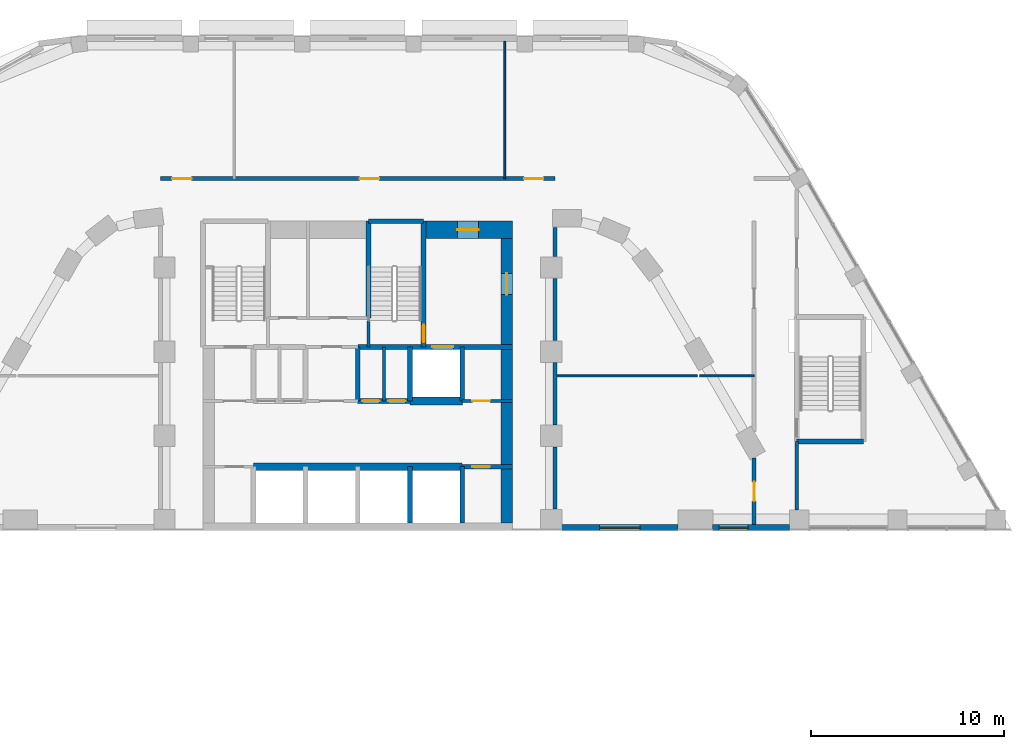
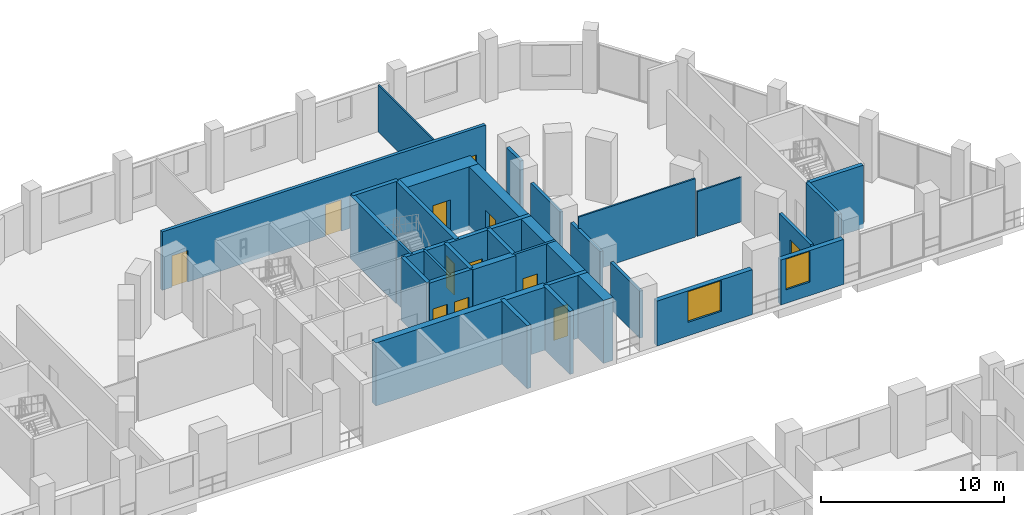
# One storey, part 18 of 45: 31 walls, 12 doors, 2 windows, 14 openings.
"""IFC4 building model written with IfcOpenShell, lengths in metres."""

import ifcopenshell
import ifcopenshell.guid

model = None  # the IFC model being written
_history = None  # IfcOwnerHistory: only IFC2X3 demands one
_inside = {}  # id of a spatial element -> (the spatial element, [elements in it])
_under = {}  # id of a project, library or spatial element -> (it, [spatial elements below it])
_declared = {}  # id of a project -> (the project, [libraries it declares])
_typed = {}  # id of a type object -> (the type object, [elements of that type])
_made_of = {}  # id of a material, layer set ... -> (it, [elements and type objects made of it])


def new_model(schema):
    """Start an empty IFC model of exactly this schema.

    Asked for "IFC4X3", IfcOpenShell would pick the latest addendum, in which some entities
    have other attributes; the version numbers below select the first issue.
    IFC2X3 requires an IfcOwnerHistory on every rooted entity: one is made here for all.
    """
    global model, _history
    if schema == "IFC4X3":
        model = ifcopenshell.file(schema_version=(4, 3, 0, 0))
    else:
        model = ifcopenshell.file(schema=schema)
    _inside.clear()
    _under.clear()
    _declared.clear()
    _typed.clear()
    _made_of.clear()
    _history = None
    if model.schema == "IFC2X3":
        org = make("IfcOrganization", Name="unknown")
        user = make(
            "IfcPersonAndOrganization",
            ThePerson=make("IfcPerson", FamilyName="unknown"),
            TheOrganization=org,
        )
        app = make(
            "IfcApplication",
            ApplicationDeveloper=org,
            Version="unknown",
            ApplicationFullName="unknown",
            ApplicationIdentifier="unknown",
        )
        _history = make(
            "IfcOwnerHistory",
            OwningUser=user,
            OwningApplication=app,
            ChangeAction="ADDED",
            CreationDate=0,
        )
    return model


def make(cls, **values):
    """One entity of the class cls with the attributes given. An attribute that is None is left unset."""
    return model.create_entity(
        cls, **{name: value for name, value in values.items() if value is not None}
    )


def rooted(cls, **values):
    """An entity with a GlobalId (a new one), such as an element, a storey or a relation."""
    return make(cls, GlobalId=ifcopenshell.guid.new(), OwnerHistory=_history, **values)


def si_unit(unit_type, name, prefix=None):
    """IfcSIUnit, for example si_unit("LENGTHUNIT", "METRE", prefix="MILLI")."""
    return make("IfcSIUnit", UnitType=unit_type, Prefix=prefix, Name=name)


def assignment(units):
    """IfcUnitAssignment: the units of a project."""
    return None if units is None else make("IfcUnitAssignment", Units=units)


def point(xyz):
    """IfcCartesianPoint."""
    return None if xyz is None else make("IfcCartesianPoint", Coordinates=xyz)


def direction(xyz):
    """IfcDirection."""
    return None if xyz is None else make("IfcDirection", DirectionRatios=xyz)


def frame(location, z_axis=None, x_axis=None):
    """IfcAxis2Placement3D, a coordinate frame: its origin and axes. An axis left out is left unset."""
    return make(
        "IfcAxis2Placement3D",
        Location=point(location),
        Axis=direction(z_axis),
        RefDirection=direction(x_axis),
    )


def frame_2d(location, x_axis=None):
    """IfcAxis2Placement2D, a coordinate frame in the plane: its origin and x axis."""
    return make(
        "IfcAxis2Placement2D", Location=point(location), RefDirection=direction(x_axis)
    )


def origin():
    """The frame at (0, 0, 0) with its axes left unset."""
    return frame((0.0, 0.0, 0.0))


def place(relative_to, where):
    """IfcLocalPlacement: puts the frame where relative to a parent placement (None: the world)."""
    return make(
        "IfcLocalPlacement", PlacementRelTo=relative_to, RelativePlacement=where
    )


def context(
    kind, dimensions, precision=None, world=None, true_north=None, identifier=None
):
    """IfcGeometricRepresentationContext, for example the 3D "Model" context."""
    return make(
        "IfcGeometricRepresentationContext",
        ContextIdentifier=identifier,
        ContextType=kind,
        CoordinateSpaceDimension=dimensions,
        Precision=precision,
        WorldCoordinateSystem=world,
        TrueNorth=true_north,
    )


def subcontext(parent, identifier, kind, view, scale=None):
    """IfcGeometricRepresentationSubContext, for example "Body" below "Model"."""
    return make(
        "IfcGeometricRepresentationSubContext",
        ContextIdentifier=identifier,
        ContextType=kind,
        ParentContext=parent,
        TargetScale=scale,
        TargetView=view,
    )


def project(units=None, contexts=None):
    """IfcProject with its units and contexts."""
    return rooted(
        "IfcProject",
        Name="project",
        RepresentationContexts=contexts,
        UnitsInContext=assignment(units),
    )


def spatial(cls, under=None, at=None, **own):
    """A site, building, storey or space (cls), placed at a placement, below another one or the project."""
    s = rooted(cls, ObjectPlacement=at, **own)
    if under is not None:
        _under.setdefault(under.id(), (under, []))[1].append(s)
    return s


def profile(cls, at=None, kind="AREA", **sizes):
    """A parametric profile (cls). Its sizes go by their IFC names, for example OverallWidth=200.0."""
    return make(cls, ProfileType=kind, Position=at, **sizes)


def rectangle(**sizes):
    """IfcRectangleProfileDef."""
    return profile("IfcRectangleProfileDef", **sizes)


def extrude(swept, where, along, depth):
    """IfcExtrudedAreaSolid: the profile swept, set in the frame where, extruded along a direction by depth."""
    return make(
        "IfcExtrudedAreaSolid",
        SweptArea=swept,
        Position=where,
        ExtrudedDirection=direction(along),
        Depth=depth,
    )


def shape(context_of_items, identifier, shape_type, items):
    """IfcShapeRepresentation: the items that make up one representation, for example the "Body"."""
    return make(
        "IfcShapeRepresentation",
        ContextOfItems=context_of_items,
        RepresentationIdentifier=identifier,
        RepresentationType=shape_type,
        Items=items,
    )


def material(Name=None, Category=None):
    """IfcMaterial."""
    return make("IfcMaterial", Name=Name, Category=Category)


def layer(
    of_material, thickness, ventilated=None, Name=None, Category=None, Priority=None
):
    """IfcMaterialLayer: one layer of a wall or slab, of a material (None: an air gap)."""
    return make(
        "IfcMaterialLayer",
        Material=of_material,
        LayerThickness=thickness,
        IsVentilated=ventilated,
        Name=Name,
        Category=Category,
        Priority=Priority,
    )


def layer_set(layers, Name=None):
    """IfcMaterialLayerSet."""
    return make("IfcMaterialLayerSet", MaterialLayers=layers, LayerSetName=Name)


def made_of(thing, what):
    """Note that an element or type object is made of a material, layer set ...; save() writes the relation."""
    if what is not None:
        _made_of.setdefault(what.id(), (what, []))[1].append(thing)
    return thing


def type_object(cls, material=None, **own):
    """A type object (cls), such as IfcWallType, which elements share."""
    return made_of(rooted(cls, **own), material)


def element(
    cls,
    number,
    at=None,
    inside=None,
    cuts=None,
    type_object=None,
    material=None,
    context=None,
    identifier="Body",
    shape_type=None,
    held_by="IfcProductDefinitionShape",
    body=None,
    shapes=None,
    **own,
):
    """One element of the class cls, such as IfcWall. Its Tag is "e" and its number.

    at: its placement. inside: the storey or other place that contains it. cuts: it is an
    opening in that element (IfcRelVoidsElement). A single representation is given by context,
    identifier, shape_type and body (its items); several are given by shapes. held_by: the class
    of the entity that holds the representations. save() writes the other relations.
    """
    e = rooted(cls, Tag="e%d" % number, ObjectPlacement=at, **own)
    if body is not None:
        shapes = [shape(context, identifier, shape_type, body)]
    if shapes is not None:
        e.Representation = make(held_by, Representations=shapes)
    if inside is not None:
        _inside.setdefault(inside.id(), (inside, []))[1].append(e)
    if cuts is not None:
        rooted(
            "IfcRelVoidsElement", RelatingBuildingElement=cuts, RelatedOpeningElement=e
        )
    if type_object is not None:
        _typed.setdefault(type_object.id(), (type_object, []))[1].append(e)
    return made_of(e, material)


def fill(opening, filler):
    """IfcRelFillsElement: the door or window that sits in an opening."""
    return rooted(
        "IfcRelFillsElement",
        RelatingOpeningElement=opening,
        RelatedBuildingElement=filler,
    )


def aggregate(whole, parts):
    """IfcRelAggregates: a whole, such as a stair, and the parts it consists of."""
    return rooted("IfcRelAggregates", RelatingObject=whole, RelatedObjects=parts)


def save(model, path):
    """Write the relations noted so far, then the file.

    IfcRelAggregates (storeys below a building ...), IfcRelContainedInSpatialStructure (elements
    in a storey), IfcRelDefinesByType, IfcRelAssociatesMaterial and IfcRelDeclares: one each for
    every whole, place, type object, material and project.
    """
    for whole, parts in _under.values():
        aggregate(whole, parts)
    for where, things in _inside.values():
        rooted(
            "IfcRelContainedInSpatialStructure",
            RelatedElements=things,
            RelatingStructure=where,
        )
    for kind, things in _typed.values():
        rooted("IfcRelDefinesByType", RelatedObjects=things, RelatingType=kind)
    for what, things in _made_of.values():
        rooted("IfcRelAssociatesMaterial", RelatedObjects=things, RelatingMaterial=what)
    for by, libraries in _declared.values():
        rooted("IfcRelDeclares", RelatingContext=by, RelatedDefinitions=libraries)
    model.write(path)


model = new_model("IFC4")

# Units and contexts
model_context = context("Model", 3, precision=1e-05, world=origin(), true_north=direction((0.0, 1.0)))
body_context = subcontext(model_context, "Body", "Model", "MODEL_VIEW")
ifc_project = project(units=[si_unit("LENGTHUNIT", "METRE"), si_unit("AREAUNIT", "SQUARE_METRE"), si_unit("VOLUMEUNIT", "CUBIC_METRE"), si_unit("PLANEANGLEUNIT", "RADIAN"), si_unit("MASSUNIT", "GRAM", prefix="KILO")], contexts=[model_context])

# Site, building, storey
site_placement = place(None, origin())
site = spatial("IfcSite", under=ifc_project, at=site_placement, CompositionType="ELEMENT")
building_placement = place(site_placement, origin())
building = spatial("IfcBuilding", under=site, at=building_placement, Name="Nakaniwa Court", CompositionType="ELEMENT")
storey_placement = place(building_placement, frame((0.0, 0.0, 11.39990234375)))
storey = spatial("IfcBuildingStorey", under=building, at=storey_placement, Name="L02", CompositionType="ELEMENT", Elevation=11.39990234375)

# Wall
ifc_material_1 = material(Name="Acoustic double stud partition")
ifc_layer_1 = layer(ifc_material_1, 0.199951171875)
ifc_layer_set_1 = layer_set([ifc_layer_1], Name="Acoustic double stud partition")
wall_type_1 = type_object("IfcWallType", Name="Acoustic double stud partition 200", PredefinedType="PARTITIONING", material=ifc_layer_set_1)
wall_1_placement = place(storey_placement, frame((102.699951171875, 88.467041015625, 0.0), z_axis=(0.0, 0.0, 1.0), x_axis=(0.0, 1.0, 0.0)))
element("IfcWall", 1, at=wall_1_placement, inside=storey, type_object=wall_type_1, Name="Partition PW-083", PredefinedType="PARTITIONING", context=body_context, shape_type="SweptSolid", body=[
    extrude(rectangle(XDim=3.535888671875, YDim=0.199951171875, at=frame_2d((1.76806640625, 0.0))), origin(), (0.0, 0.0, 1.0), 3.900146484375),
])

# Wall, opening, door
wall_2_placement = place(storey_placement, frame((100.5, 87.699951171875, 0.0), z_axis=(0.0, 0.0, 1.0), x_axis=(0.0, 1.0, 0.0)))
wall_2 = element("IfcWall", 2, at=wall_2_placement, inside=storey, type_object=wall_type_1, Name="Partition PW-087", PredefinedType="PARTITIONING", context=body_context, shape_type="SweptSolid", body=[
    extrude(rectangle(XDim=3.44921875, YDim=0.199951171875, at=frame_2d((1.724609375, 0.0))), origin(), (0.0, 0.0, 1.0), 3.130126953125),
])
opening_1_placement = place(wall_2_placement, frame((1.222900390625, 0.0, 0.0)))
opening_1 = element("IfcOpeningElement", 3, at=opening_1_placement, cuts=wall_2, Name="Opening D-02-02", PredefinedType="OPENING", context=body_context, shape_type="SweptSolid", body=[
    extrude(rectangle(XDim=1.0, YDim=2.10009765625, at=frame_2d((0.5, 1.050048828125))), frame((0.0, 0.10986328125, 0.0), z_axis=(0.0, -1.0, 0.0), x_axis=(1.0, 0.0, 0.0)), (0.0, 0.0, 1.0), 0.219970703125),
])
ifc_material_2 = material(Name="Solid core timber door set, black veneer", Category="wood")
door_type_1 = type_object("IfcDoorType", Name="Internal door 1000", OperationType="NOTDEFINED", PredefinedType="DOOR", material=ifc_material_2)
door_1_placement = place(opening_1_placement, origin())
door_1 = element("IfcDoor", 4, at=door_1_placement, inside=storey, type_object=door_type_1, Name="Door D-02-02 L02-033", OperationType="SINGLE_SWING_RIGHT", OverallHeight=2.10009765625, OverallWidth=1.0, PredefinedType="DOOR", context=body_context, shape_type="SweptSolid", body=[
    extrude(rectangle(XDim=1.0, YDim=2.10009765625, at=frame_2d((0.5, 1.050048828125))), frame((0.0, 0.02490234375, 0.0), z_axis=(0.0, -1.0, 0.0), x_axis=(1.0, 0.0, 0.0)), (0.0, 0.0, 1.0), 0.050048828125),
])
fill(opening_1, door_1)

# Wall, openings, doors
wall_3_placement = place(storey_placement, frame((69.800048828125, 105.60009765625, 0.0), z_axis=(0.0, 0.0, 1.0), x_axis=(1.0, 0.0, 0.0)))
wall_3 = element("IfcWall", 5, at=wall_3_placement, inside=storey, type_object=wall_type_1, Name="Partition PW-090", PredefinedType="PARTITIONING", context=body_context, shape_type="SweptSolid", body=[
    extrude(rectangle(XDim=20.39990234375, YDim=0.199951171875, at=frame_2d((10.199951171875, 0.0))), origin(), (0.0, 0.0, 1.0), 3.900146484375),
])
opening_2_placement = place(wall_3_placement, frame((0.60205078125, 0.0, 0.0)))
opening_2 = element("IfcOpeningElement", 6, at=opening_2_placement, cuts=wall_3, Name="Opening D-02-06", PredefinedType="OPENING", context=body_context, shape_type="SweptSolid", body=[
    extrude(rectangle(XDim=1.0, YDim=2.10009765625, at=frame_2d((0.5, 1.050048828125))), frame((0.0, 0.10986328125, 0.0), z_axis=(0.0, -1.0, 0.0), x_axis=(1.0, 0.0, 0.0)), (0.0, 0.0, 1.0), 0.219970703125),
])
opening_3_placement = place(wall_3_placement, frame((18.800048828125, 0.0, 0.0)))
opening_3 = element("IfcOpeningElement", 7, at=opening_3_placement, cuts=wall_3, Name="Opening D-02-07", PredefinedType="OPENING", context=body_context, shape_type="SweptSolid", body=[
    extrude(rectangle(XDim=1.0, YDim=2.10009765625, at=frame_2d((0.5, 1.050048828125))), frame((0.0, 0.10986328125, 0.0), z_axis=(0.0, -1.0, 0.0), x_axis=(1.0, 0.0, 0.0)), (0.0, 0.0, 1.0), 0.219970703125),
])
opening_4_placement = place(wall_3_placement, frame((10.300048828125, 0.0, 0.0)))
opening_4 = element("IfcOpeningElement", 8, at=opening_4_placement, cuts=wall_3, Name="Opening D-02-08", PredefinedType="OPENING", context=body_context, shape_type="SweptSolid", body=[
    extrude(rectangle(XDim=1.0, YDim=2.10009765625, at=frame_2d((0.5, 1.050048828125))), frame((0.0, 0.10986328125, 0.0), z_axis=(0.0, -1.0, 0.0), x_axis=(1.0, 0.0, 0.0)), (0.0, 0.0, 1.0), 0.219970703125),
])
door_2_placement = place(opening_2_placement, origin())
door_2 = element("IfcDoor", 9, at=door_2_placement, inside=storey, type_object=door_type_1, Name="Door D-02-06 L02-037", OperationType="SINGLE_SWING_RIGHT", OverallHeight=2.10009765625, OverallWidth=1.0, PredefinedType="DOOR", context=body_context, shape_type="SweptSolid", body=[
    extrude(rectangle(XDim=1.0, YDim=2.10009765625, at=frame_2d((0.5, 1.050048828125))), frame((0.0, 0.02490234375, 0.0), z_axis=(0.0, -1.0, 0.0), x_axis=(1.0, 0.0, 0.0)), (0.0, 0.0, 1.0), 0.050048828125),
])
fill(opening_2, door_2)
door_3_placement = place(opening_3_placement, origin())
door_3 = element("IfcDoor", 10, at=door_3_placement, inside=storey, type_object=door_type_1, Name="Door D-02-07 L02-038", OperationType="SINGLE_SWING_LEFT", OverallHeight=2.10009765625, OverallWidth=1.0, PredefinedType="DOOR", context=body_context, shape_type="SweptSolid", body=[
    extrude(rectangle(XDim=1.0, YDim=2.10009765625, at=frame_2d((0.5, 1.050048828125))), frame((0.0, 0.02490234375, 0.0), z_axis=(0.0, -1.0, 0.0), x_axis=(1.0, 0.0, 0.0)), (0.0, 0.0, 1.0), 0.050048828125),
])
fill(opening_3, door_3)
door_4_placement = place(opening_4_placement, origin())
door_4 = element("IfcDoor", 11, at=door_4_placement, inside=storey, type_object=door_type_1, Name="Door D-02-08 L02-039", OperationType="SINGLE_SWING_RIGHT", OverallHeight=2.10009765625, OverallWidth=1.0, PredefinedType="DOOR", context=body_context, shape_type="SweptSolid", body=[
    extrude(rectangle(XDim=1.0, YDim=2.10009765625, at=frame_2d((0.5, 1.050048828125))), frame((0.0, 0.02490234375, 0.0), z_axis=(0.0, -1.0, 0.0), x_axis=(1.0, 0.0, 0.0)), (0.0, 0.0, 1.0), 0.050048828125),
])
fill(opening_4, door_4)

# Walls
wall_4_placement = place(storey_placement, frame((90.199951171875, 88.51708984375, 0.0), z_axis=(0.0, 0.0, 1.0), x_axis=(0.0, 1.0, 0.0)))
element("IfcWall", 12, at=wall_4_placement, inside=storey, type_object=wall_type_1, Name="Partition PW-106", PredefinedType="PARTITIONING", context=body_context, shape_type="SweptSolid", body=[
    extrude(rectangle(XDim=3.2158203125, YDim=0.199951171875, at=frame_2d((1.60791015625, 0.0))), origin(), (0.0, 0.0, 1.0), 3.130126953125),
])
for number, where, z_axis, x_axis, name in (
    (13, (90.199951171875, 92.866943359375, 0.0), (0.0, 0.0, 1.0), (0.0, 1.0, 0.0), "Partition PW-107"),
    (14, (90.199951171875, 97.217041015625, 0.0), (0.0, 0.0, 1.0), (0.0, 1.0, 0.0), "Partition PW-108"),
):
    element("IfcWall", number, at=place(storey_placement, frame(where, z_axis=z_axis, x_axis=x_axis)), inside=storey, type_object=wall_type_1, Name=name, PredefinedType="PARTITIONING", context=body_context, shape_type="SweptSolid", body=[
        extrude(rectangle(XDim=3.216064453125, YDim=0.199951171875, at=frame_2d((1.60791015625, 0.0))), origin(), (0.0, 0.0, 1.0), 3.130126953125),
    ])
wall_5_placement = place(storey_placement, frame((90.199951171875, 101.56689453125, 0.0), z_axis=(0.0, 0.0, 1.0), x_axis=(0.0, 1.0, 0.0)))
element("IfcWall", 15, at=wall_5_placement, inside=storey, type_object=wall_type_1, Name="Partition PW-109", PredefinedType="PARTITIONING", context=body_context, shape_type="SweptSolid", body=[
    extrude(rectangle(XDim=1.51611328125, YDim=0.199951171875, at=frame_2d((0.758056640625, 0.0))), origin(), (0.0, 0.0, 1.0), 3.900146484375),
])

# Wall, opening, window
ifc_material_3 = material(Name="Charcoal ceramic cladding")
ifc_layer_2 = layer(ifc_material_3, 0.02, Name="Ceramic cladding")
ifc_material_4 = material(Name="Ventilated air cavity")
ifc_layer_3 = layer(ifc_material_4, 0.04, ventilated=True, Name="Ventilated cavity")
ifc_material_5 = material(Name="Mineral wool insulation")
ifc_layer_4 = layer(ifc_material_5, 0.1, Name="Insulation")
ifc_material_6 = material(Name="Cement bonded sheathing board")
ifc_layer_5 = layer(ifc_material_6, 0.012, Name="Sheathing")
ifc_material_7 = material(Name="Cold-formed galvanised stud frame with mineral wool infill")
ifc_layer_6 = layer(ifc_material_7, 0.1, Name="Stud frame")
ifc_material_8 = material(Name="Fire-rated gypsum plasterboard lining")
ifc_layer_7 = layer(ifc_material_8, 0.028, Name="Lining")
ifc_layer_set_2 = layer_set([ifc_layer_2, ifc_layer_3, ifc_layer_4, ifc_layer_5, ifc_layer_6, ifc_layer_7], Name="Charcoal ceramic faced external wall system")
wall_type_2 = type_object("IfcWallType", Name="Black ceramic faced external wall 300", PredefinedType="SOLIDWALL", material=ifc_layer_set_2)
wall_6_placement = place(storey_placement, frame((90.5458984375, 87.550048828125, 0.0), z_axis=(0.0, 0.0, 1.0), x_axis=(1.0, 0.0, 0.0)))
wall_6 = element("IfcWall", 16, at=wall_6_placement, inside=storey, type_object=wall_type_2, Name="L02 external wall 35", PredefinedType="SOLIDWALL", context=body_context, shape_type="SweptSolid", body=[
    extrude(rectangle(XDim=6.01611328125, YDim=0.300048828125, at=frame_2d((3.008056640625, 0.0))), origin(), (0.0, 0.0, 1.0), 3.0),
])
opening_5_placement = place(wall_6_placement, frame((1.9580078125, 0.0, 0.89990234375)))
opening_5 = element("IfcOpeningElement", 17, at=opening_5_placement, cuts=wall_6, Name="Opening W2.30", PredefinedType="OPENING", context=body_context, shape_type="SweptSolid", body=[
    extrude(rectangle(XDim=2.10009765625, YDim=2.050048828125, at=frame_2d((1.050048828125, 1.02490234375))), frame((0.0, 0.159912109375, 0.0), z_axis=(0.0, -1.0, 0.0), x_axis=(1.0, 0.0, 0.0)), (0.0, 0.0, 1.0), 0.320068359375),
])
ifc_material_9 = material(Name="Black anodised aluminium frame with dark low-E laminated double glazing", Category="aluminium")
window_type_1 = type_object("IfcWindowType", Name="Dark glass window 2100x2050 sill 900", PartitioningType="SINGLE_PANEL", PredefinedType="WINDOW", material=ifc_material_9)
window_1_placement = place(opening_5_placement, origin())
window_1 = element("IfcWindow", 18, at=window_1_placement, inside=storey, type_object=window_type_1, Name="L02 habitable room window 35-0", OverallHeight=2.050048828125, OverallWidth=2.10009765625, PartitioningType="SINGLE_PANEL", PredefinedType="WINDOW", context=body_context, shape_type="SweptSolid", body=[
    extrude(rectangle(XDim=2.10009765625, YDim=2.050048828125, at=frame_2d((1.050048828125, 1.02490234375))), frame((0.0, 0.030029296875, 0.0), z_axis=(0.0, -1.0, 0.0), x_axis=(1.0, 0.0, 0.0)), (0.0, 0.0, 1.0), 0.06005859375),
])
fill(opening_5, window_1)

wall_7_placement = place(storey_placement, frame((98.35400390625, 87.550048828125, 0.0), z_axis=(0.0, 0.0, 1.0), x_axis=(1.0, 0.0, 0.0)))
wall_7 = element("IfcWall", 19, at=wall_7_placement, inside=storey, type_object=wall_type_2, Name="L02 external wall 36", PredefinedType="SOLIDWALL", context=body_context, shape_type="SweptSolid", body=[
    extrude(rectangle(XDim=3.972900390625, YDim=0.300048828125, at=frame_2d((1.986328125, 0.0))), origin(), (0.0, 0.0, 1.0), 3.0),
])
opening_6_placement = place(wall_7_placement, frame((0.3349609375, 0.0, 0.89990234375)))
opening_6 = element("IfcOpeningElement", 20, at=opening_6_placement, cuts=wall_7, Name="Opening W4.31", PredefinedType="OPENING", context=body_context, shape_type="SweptSolid", body=[
    extrude(rectangle(XDim=1.5, YDim=2.050048828125, at=frame_2d((0.75, 1.02490234375))), frame((0.0, 0.159912109375, 0.0), z_axis=(0.0, -1.0, 0.0), x_axis=(1.0, 0.0, 0.0)), (0.0, 0.0, 1.0), 0.320068359375),
])
window_type_2 = type_object("IfcWindowType", Name="Dark glass window 1500x2050 sill 900", PartitioningType="SINGLE_PANEL", PredefinedType="WINDOW", material=ifc_material_9)
window_2_placement = place(opening_6_placement, origin())
window_2 = element("IfcWindow", 21, at=window_2_placement, inside=storey, type_object=window_type_2, Name="L02 habitable room window 36-0", OverallHeight=2.050048828125, OverallWidth=1.5, PartitioningType="SINGLE_PANEL", PredefinedType="WINDOW", context=body_context, shape_type="SweptSolid", body=[
    extrude(rectangle(XDim=1.5, YDim=2.050048828125, at=frame_2d((0.75, 1.02490234375))), frame((0.0, 0.030029296875, 0.0), z_axis=(0.0, -1.0, 0.0), x_axis=(1.0, 0.0, 0.0)), (0.0, 0.0, 1.0), 0.06005859375),
])
fill(opening_6, window_2)

# Wall, opening, door
ifc_material_10 = material(Name="Blockwork partition", Category="masonry")
ifc_layer_8 = layer(ifc_material_10, 0.14990234375)
ifc_layer_set_3 = layer_set([ifc_layer_8], Name="Blockwork partition")
wall_type_3 = type_object("IfcWallType", Name="Blockwork partition 150", PredefinedType="PARTITIONING", material=ifc_layer_set_3)
wall_8_placement = place(storey_placement, frame((85.39697265625, 94.10009765625, 0.0), z_axis=(0.0, 0.0, 1.0), x_axis=(1.0, 0.0, 0.0)))
wall_8 = element("IfcWall", 22, at=wall_8_placement, inside=storey, type_object=wall_type_3, Name="Partition PW-018", PredefinedType="PARTITIONING", context=body_context, shape_type="SweptSolid", body=[
    extrude(rectangle(XDim=2.60302734375, YDim=0.14990234375, at=frame_2d((1.301513671875, 0.0))), origin(), (0.0, 0.0, 1.0), 3.900146484375),
])
opening_7_placement = place(wall_8_placement, frame((0.528076171875, 0.0, 0.0)))
opening_7 = element("IfcOpeningElement", 23, at=opening_7_placement, cuts=wall_8, Name="Opening D-05-07", PredefinedType="OPENING", context=body_context, shape_type="SweptSolid", body=[
    extrude(rectangle(XDim=0.89990234375, YDim=2.10009765625, at=frame_2d((0.449951171875, 1.050048828125))), frame((0.0, 0.0849609375, 0.0), z_axis=(0.0, -1.0, 0.0), x_axis=(1.0, 0.0, 0.0)), (0.0, 0.0, 1.0), 0.169921875),
])
ifc_material_11 = material(Name="Fire rated steel door set", Category="steel")
door_type_2 = type_object("IfcDoorType", Name="Service room door 900", OperationType="NOTDEFINED", PredefinedType="DOOR", material=ifc_material_11)
door_5_placement = place(opening_7_placement, origin())
door_5 = element("IfcDoor", 24, at=door_5_placement, inside=storey, type_object=door_type_2, Name="Door D-05-07 L02-009", OperationType="SINGLE_SWING_RIGHT", OverallHeight=2.10009765625, OverallWidth=0.89990234375, PredefinedType="DOOR", context=body_context, shape_type="SweptSolid", body=[
    extrude(rectangle(XDim=0.89990234375, YDim=2.10009765625, at=frame_2d((0.449951171875, 1.050048828125))), frame((0.0, 0.02490234375, 0.0), z_axis=(0.0, -1.0, 0.0), x_axis=(1.0, 0.0, 0.0)), (0.0, 0.0, 1.0), 0.050048828125),
])
fill(opening_7, door_5)

# Wall
wall_9_placement = place(storey_placement, frame((81.35009765625, 94.10009765625, 0.0), z_axis=(0.0, 0.0, 1.0), x_axis=(0.0, 1.0, 0.0)))
element("IfcWall", 25, at=wall_9_placement, inside=storey, type_object=wall_type_3, Name="Partition PW-027", PredefinedType="PARTITIONING", context=body_context, shape_type="SweptSolid", body=[
    extrude(rectangle(XDim=2.7998046875, YDim=0.14990234375, at=frame_2d((1.39990234375, 0.0))), origin(), (0.0, 0.0, 1.0), 3.900146484375),
])

# Wall, opening, door
ifc_material_12 = material(Name="Concrete C100/115", Category="concrete")
ifc_layer_9 = layer(ifc_material_12, 0.60009765625)
ifc_layer_set_4 = layer_set([ifc_layer_9], Name="Concrete C100/115")
wall_type_4 = type_object("IfcWallType", Name="Concrete core side wall 600 C100", PredefinedType="SHEAR", material=ifc_layer_set_4)
wall_10_placement = place(storey_placement, frame((87.699951171875, 103.39990234375, -0.2998046875), z_axis=(0.0, 0.0, 1.0), x_axis=(0.0, -1.0, 0.0)))
wall_10 = element("IfcWall", 26, at=wall_10_placement, inside=storey, type_object=wall_type_4, Name="Core wall SW-15", PredefinedType="SHEAR", context=body_context, shape_type="SweptSolid", body=[
    extrude(rectangle(XDim=15.599853515625, YDim=0.60009765625, at=frame_2d((7.7998046875, 0.0))), origin(), (0.0, 0.0, 1.0), 4.199951171875),
])
opening_8_placement = place(wall_10_placement, frame((2.699951171875, 0.0, 0.300048828125)))
opening_8 = element("IfcOpeningElement", 27, at=opening_8_placement, cuts=wall_10, Name="Opening D-10-01", PredefinedType="OPENING", context=body_context, shape_type="SweptSolid", body=[
    extrude(rectangle(XDim=1.10009765625, YDim=2.10009765625, at=frame_2d((0.550048828125, 1.050048828125))), frame((0.0, 0.31005859375, 0.0), z_axis=(0.0, -1.0, 0.0), x_axis=(1.0, 0.0, 0.0)), (0.0, 0.0, 1.0), 0.6201171875),
])
door_type_3 = type_object("IfcDoorType", Name="Firefighting lobby door 1100", OperationType="NOTDEFINED", PredefinedType="DOOR", material=ifc_material_11)
door_6_placement = place(opening_8_placement, origin())
door_6 = element("IfcDoor", 28, at=door_6_placement, inside=storey, type_object=door_type_3, Name="Door D-10-01 L02-055", OperationType="SINGLE_SWING_RIGHT", OverallHeight=2.10009765625, OverallWidth=1.10009765625, PredefinedType="DOOR", context=body_context, shape_type="SweptSolid", body=[
    extrude(rectangle(XDim=1.10009765625, YDim=2.10009765625, at=frame_2d((0.550048828125, 1.050048828125))), frame((0.0, 0.02490234375, 0.0), z_axis=(0.0, -1.0, 0.0), x_axis=(1.0, 0.0, 0.0)), (0.0, 0.0, 1.0), 0.050048828125),
])
fill(opening_8, door_6)

# Walls
ifc_layer_10 = layer(ifc_material_12, 0.39990234375)
ifc_layer_set_5 = layer_set([ifc_layer_10], Name="Concrete C100/115")
wall_type_5 = type_object("IfcWallType", Name="Concrete core spine wall 400 C100", PredefinedType="SHEAR", material=ifc_layer_set_5)
wall_11_placement = place(storey_placement, frame((74.60009765625, 90.699951171875, -0.2998046875), z_axis=(0.0, 0.0, 1.0), x_axis=(1.0, 0.0, 0.0)))
element("IfcWall", 29, at=wall_11_placement, inside=storey, type_object=wall_type_5, Name="Core wall SW-07", PredefinedType="SHEAR", context=body_context, shape_type="SweptSolid", body=[
    extrude(rectangle(XDim=10.7998046875, YDim=0.39990234375, at=frame_2d((5.39990234375, 0.0))), origin(), (0.0, 0.0, 1.0), 4.199951171875),
])
wall_12_placement = place(storey_placement, frame((82.697021484375, 94.10009765625, -0.2998046875), z_axis=(0.0, 0.0, 1.0), x_axis=(1.0, 0.0, 0.0)))
element("IfcWall", 30, at=wall_12_placement, inside=storey, type_object=wall_type_5, Name="Core wall SW-21", PredefinedType="SHEAR", context=body_context, shape_type="SweptSolid", body=[
    extrude(rectangle(XDim=2.7060546875, YDim=0.39990234375, at=frame_2d((1.35302734375, 0.0))), origin(), (0.0, 0.0, 1.0), 4.199951171875),
])
ifc_layer_11 = layer(ifc_material_12, 0.14990234375)
ifc_layer_set_6 = layer_set([ifc_layer_11], Name="Concrete C100/115")
wall_type_6 = type_object("IfcWallType", Name="Concrete core wall 150 C100", PredefinedType="SHEAR", material=ifc_layer_set_6)
wall_13_placement = place(storey_placement, frame((80.550048828125, 96.89990234375, -0.2998046875), z_axis=(0.0, 0.0, 1.0), x_axis=(0.0, 1.0, 0.0)))
element("IfcWall", 31, at=wall_13_placement, inside=storey, type_object=wall_type_6, Name="Core wall SW-34", PredefinedType="SHEAR", context=body_context, shape_type="SweptSolid", body=[
    extrude(rectangle(XDim=1.503173828125, YDim=0.14990234375, at=frame_2d((0.75146484375, 0.0))), origin(), (0.0, 0.0, 1.0), 4.199951171875),
])
ifc_layer_12 = layer(ifc_material_12, 0.25)
ifc_layer_set_7 = layer_set([ifc_layer_12], Name="Concrete C100/115")
wall_type_7 = type_object("IfcWallType", Name="Concrete core wall 250 C100", PredefinedType="SHEAR", material=ifc_layer_set_7)
wall_14_placement = place(storey_placement, frame((80.550048828125, 103.39990234375, -0.2998046875), z_axis=(0.0, 0.0, 1.0), x_axis=(1.0, 0.0, 0.0)))
element("IfcWall", 32, at=wall_14_placement, inside=storey, type_object=wall_type_7, Name="Core wall SW-32", PredefinedType="SHEAR", context=body_context, shape_type="SweptSolid", body=[
    extrude(rectangle(XDim=2.849853515625, YDim=0.25, at=frame_2d((1.4248046875, 0.0))), origin(), (0.0, 0.0, 1.0), 4.199951171875),
])
wall_15_placement = place(storey_placement, frame((102.699951171875, 92.0, -0.2998046875), z_axis=(0.0, 0.0, 1.0), x_axis=(1.0, 0.0, 0.0)))
element("IfcWall", 33, at=wall_15_placement, inside=storey, type_object=wall_type_7, Name="Core wall SW-123", PredefinedType="SHEAR", context=body_context, shape_type="SweptSolid", body=[
    extrude(rectangle(XDim=3.449951171875, YDim=0.25, at=frame_2d((1.72509765625, 0.0))), origin(), (0.0, 0.0, 1.0), 4.199951171875),
])

# Wall, opening, door
ifc_layer_13 = layer(ifc_material_12, 0.89990234375)
ifc_layer_set_8 = layer_set([ifc_layer_13], Name="Concrete C100/115")
wall_type_8 = type_object("IfcWallType", Name="Concrete core wall 900 C100", PredefinedType="SHEAR", material=ifc_layer_set_8)
wall_16_placement = place(storey_placement, frame((83.39990234375, 102.949951171875, -0.2998046875), z_axis=(0.0, 0.0, 1.0), x_axis=(1.0, 0.0, 0.0)))
wall_16 = element("IfcWall", 34, at=wall_16_placement, inside=storey, type_object=wall_type_8, Name="Core wall SW-37", PredefinedType="SHEAR", context=body_context, shape_type="SweptSolid", body=[
    extrude(rectangle(XDim=4.60009765625, YDim=0.89990234375, at=frame_2d((2.300048828125, 0.0))), origin(), (0.0, 0.0, 1.0), 4.199951171875),
])
opening_9_placement = place(wall_16_placement, frame((1.748046875, 0.0, 0.300048828125)))
opening_9 = element("IfcOpeningElement", 35, at=opening_9_placement, cuts=wall_16, Name="Opening D-10-02", PredefinedType="OPENING", context=body_context, shape_type="SweptSolid", body=[
    extrude(rectangle(XDim=1.10009765625, YDim=2.10009765625, at=frame_2d((0.550048828125, 1.050048828125))), frame((0.0, 0.4599609375, 0.0), z_axis=(0.0, -1.0, 0.0), x_axis=(1.0, 0.0, 0.0)), (0.0, 0.0, 1.0), 0.919921875),
])
door_7_placement = place(opening_9_placement, origin())
door_7 = element("IfcDoor", 36, at=door_7_placement, inside=storey, type_object=door_type_3, Name="Door D-10-02 L02-056", OperationType="SINGLE_SWING_LEFT", OverallHeight=2.10009765625, OverallWidth=1.10009765625, PredefinedType="DOOR", context=body_context, shape_type="SweptSolid", body=[
    extrude(rectangle(XDim=1.10009765625, YDim=2.10009765625, at=frame_2d((0.550048828125, 1.050048828125))), frame((0.0, 0.02490234375, 0.0), z_axis=(0.0, -1.0, 0.0), x_axis=(1.0, 0.0, 0.0)), (0.0, 0.0, 1.0), 0.050048828125),
])
fill(opening_9, door_7)

# Walls
ifc_layer_14 = layer(ifc_material_12, 0.25)
ifc_layer_set_9 = layer_set([ifc_layer_14], Name="Concrete C100/115")
wall_type_9 = type_object("IfcWallType", Name="Concrete shaft wall 250 C100", PredefinedType="SHEAR", material=ifc_layer_set_9)
wall_17_placement = place(storey_placement, frame((80.0, 94.10009765625, -0.2998046875), z_axis=(0.0, 0.0, 1.0), x_axis=(0.0, 1.0, 0.0)))
element("IfcWall", 37, at=wall_17_placement, inside=storey, type_object=wall_type_9, Name="Core wall SW-09", PredefinedType="SHEAR", context=body_context, shape_type="SweptSolid", body=[
    extrude(rectangle(XDim=2.7998046875, YDim=0.25, at=frame_2d((1.39990234375, 0.0))), origin(), (0.0, 0.0, 1.0), 4.199951171875),
])
wall_18_placement = place(storey_placement, frame((82.699951171875, 87.800048828125, -0.2998046875), z_axis=(0.0, 0.0, 1.0), x_axis=(0.0, 1.0, 0.0)))
element("IfcWall", 38, at=wall_18_placement, inside=storey, type_object=wall_type_9, Name="Core wall SW-10", PredefinedType="SHEAR", context=body_context, shape_type="SweptSolid", body=[
    extrude(rectangle(XDim=2.89990234375, YDim=0.25, at=frame_2d((1.449951171875, 0.0))), origin(), (0.0, 0.0, 1.0), 4.199951171875),
])
wall_19_placement = place(storey_placement, frame((82.699951171875, 94.10009765625, -0.2998046875), z_axis=(0.0, 0.0, 1.0), x_axis=(0.0, 1.0, 0.0)))
element("IfcWall", 39, at=wall_19_placement, inside=storey, type_object=wall_type_9, Name="Core wall SW-11", PredefinedType="SHEAR", context=body_context, shape_type="SweptSolid", body=[
    extrude(rectangle(XDim=2.7998046875, YDim=0.25, at=frame_2d((1.39990234375, 0.0))), origin(), (0.0, 0.0, 1.0), 4.199951171875),
])
wall_20_placement = place(storey_placement, frame((85.39990234375, 87.800048828125, -0.2998046875), z_axis=(0.0, 0.0, 1.0), x_axis=(0.0, 1.0, 0.0)))
element("IfcWall", 40, at=wall_20_placement, inside=storey, type_object=wall_type_9, Name="Core wall SW-12", PredefinedType="SHEAR", context=body_context, shape_type="SweptSolid", body=[
    extrude(rectangle(XDim=2.89990234375, YDim=0.25, at=frame_2d((1.449951171875, 0.0))), origin(), (0.0, 0.0, 1.0), 4.199951171875),
])
wall_21_placement = place(storey_placement, frame((85.39990234375, 94.10009765625, -0.2998046875), z_axis=(0.0, 0.0, 1.0), x_axis=(0.0, 1.0, 0.0)))
element("IfcWall", 41, at=wall_21_placement, inside=storey, type_object=wall_type_9, Name="Core wall SW-13", PredefinedType="SHEAR", context=body_context, shape_type="SweptSolid", body=[
    extrude(rectangle(XDim=2.7998046875, YDim=0.25, at=frame_2d((1.39990234375, 0.0))), origin(), (0.0, 0.0, 1.0), 4.199951171875),
])

# Wall, opening, door
wall_22_placement = place(storey_placement, frame((88.0, 90.699951171875, -0.2998046875), z_axis=(0.0, 0.0, 1.0), x_axis=(-1.0, 0.0, 0.0)))
wall_22 = element("IfcWall", 42, at=wall_22_placement, inside=storey, type_object=wall_type_9, Name="Core wall SW-14", PredefinedType="SHEAR", context=body_context, shape_type="SweptSolid", body=[
    extrude(rectangle(XDim=2.60009765625, YDim=0.25, at=frame_2d((1.300048828125, 0.0))), origin(), (0.0, 0.0, 1.0), 4.199951171875),
])
opening_10_placement = place(wall_22_placement, frame((1.175048828125, 0.0, 0.300048828125)))
opening_10 = element("IfcOpeningElement", 43, at=opening_10_placement, cuts=wall_22, Name="Opening D-05-02", PredefinedType="OPENING", context=body_context, shape_type="SweptSolid", body=[
    extrude(rectangle(XDim=0.89990234375, YDim=2.10009765625, at=frame_2d((0.449951171875, 1.050048828125))), frame((0.0, 0.135009765625, 0.0), z_axis=(0.0, -1.0, 0.0), x_axis=(1.0, 0.0, 0.0)), (0.0, 0.0, 1.0), 0.27001953125),
])
door_8_placement = place(opening_10_placement, origin())
door_8 = element("IfcDoor", 44, at=door_8_placement, inside=storey, type_object=door_type_2, Name="Door D-05-02 L02-002", OperationType="SINGLE_SWING_LEFT", OverallHeight=2.10009765625, OverallWidth=0.89990234375, PredefinedType="DOOR", context=body_context, shape_type="SweptSolid", body=[
    extrude(rectangle(XDim=0.89990234375, YDim=2.10009765625, at=frame_2d((0.449951171875, 1.050048828125))), frame((0.0, 0.02490234375, 0.0), z_axis=(0.0, -1.0, 0.0), x_axis=(1.0, 0.0, 0.0)), (0.0, 0.0, 1.0), 0.050048828125),
])
fill(opening_10, door_8)

# Wall, openings, doors
wall_23_placement = place(storey_placement, frame((79.9970703125, 94.10009765625, -0.2998046875), z_axis=(0.0, 0.0, 1.0), x_axis=(1.0, 0.0, 0.0)))
wall_23 = element("IfcWall", 45, at=wall_23_placement, inside=storey, type_object=wall_type_9, Name="Core wall SW-20", PredefinedType="SHEAR", context=body_context, shape_type="SweptSolid", body=[
    extrude(rectangle(XDim=2.705810546875, YDim=0.25, at=frame_2d((1.35302734375, 0.0))), origin(), (0.0, 0.0, 1.0), 4.199951171875),
])
opening_11_placement = place(wall_23_placement, frame((0.22802734375, 0.0, 0.300048828125)))
opening_11 = element("IfcOpeningElement", 46, at=opening_11_placement, cuts=wall_23, Name="Opening D-05-05", PredefinedType="OPENING", context=body_context, shape_type="SweptSolid", body=[
    extrude(rectangle(XDim=0.89990234375, YDim=2.10009765625, at=frame_2d((0.449951171875, 1.050048828125))), frame((0.0, 0.135009765625, 0.0), z_axis=(0.0, -1.0, 0.0), x_axis=(1.0, 0.0, 0.0)), (0.0, 0.0, 1.0), 0.27001953125),
])
opening_12_placement = place(wall_23_placement, frame((1.577880859375, 0.0, 0.300048828125)))
opening_12 = element("IfcOpeningElement", 47, at=opening_12_placement, cuts=wall_23, Name="Opening D-05-06", PredefinedType="OPENING", context=body_context, shape_type="SweptSolid", body=[
    extrude(rectangle(XDim=0.89990234375, YDim=2.10009765625, at=frame_2d((0.449951171875, 1.050048828125))), frame((0.0, 0.135009765625, 0.0), z_axis=(0.0, -1.0, 0.0), x_axis=(1.0, 0.0, 0.0)), (0.0, 0.0, 1.0), 0.27001953125),
])
door_9_placement = place(opening_11_placement, origin())
door_9 = element("IfcDoor", 48, at=door_9_placement, inside=storey, type_object=door_type_2, Name="Door D-05-05 L02-007", OperationType="SINGLE_SWING_RIGHT", OverallHeight=2.10009765625, OverallWidth=0.89990234375, PredefinedType="DOOR", context=body_context, shape_type="SweptSolid", body=[
    extrude(rectangle(XDim=0.89990234375, YDim=2.10009765625, at=frame_2d((0.449951171875, 1.050048828125))), frame((0.0, 0.02490234375, 0.0), z_axis=(0.0, -1.0, 0.0), x_axis=(1.0, 0.0, 0.0)), (0.0, 0.0, 1.0), 0.050048828125),
])
fill(opening_11, door_9)
door_10_placement = place(opening_12_placement, origin())
door_10 = element("IfcDoor", 49, at=door_10_placement, inside=storey, type_object=door_type_2, Name="Door D-05-06 L02-008", OperationType="SINGLE_SWING_LEFT", OverallHeight=2.10009765625, OverallWidth=0.89990234375, PredefinedType="DOOR", context=body_context, shape_type="SweptSolid", body=[
    extrude(rectangle(XDim=0.89990234375, YDim=2.10009765625, at=frame_2d((0.449951171875, 1.050048828125))), frame((0.0, 0.02490234375, 0.0), z_axis=(0.0, -1.0, 0.0), x_axis=(1.0, 0.0, 0.0)), (0.0, 0.0, 1.0), 0.050048828125),
])
fill(opening_12, door_10)

# Wall, opening, door
wall_24_placement = place(storey_placement, frame((80.0, 96.89990234375, -0.2998046875), z_axis=(0.0, 0.0, 1.0), x_axis=(1.0, 0.0, 0.0)))
wall_24 = element("IfcWall", 50, at=wall_24_placement, inside=storey, type_object=wall_type_9, Name="Core wall SW-25", PredefinedType="SHEAR", context=body_context, shape_type="SweptSolid", body=[
    extrude(rectangle(XDim=8.0, YDim=0.25, at=frame_2d((4.0, 0.0))), origin(), (0.0, 0.0, 1.0), 4.199951171875),
])
opening_13_placement = place(wall_24_placement, frame((3.84912109375, 0.0, 0.300048828125)))
opening_13 = element("IfcOpeningElement", 51, at=opening_13_placement, cuts=wall_24, Name="Opening LD01", PredefinedType="OPENING", context=body_context, shape_type="SweptSolid", body=[
    extrude(rectangle(XDim=1.10009765625, YDim=2.10009765625, at=frame_2d((0.550048828125, 1.050048828125))), frame((0.0, 0.135009765625, 0.0), z_axis=(0.0, -1.0, 0.0), x_axis=(1.0, 0.0, 0.0)), (0.0, 0.0, 1.0), 0.27001953125),
])
ifc_material_13 = material(Name="Stainless steel sliding lift landing door", Category="steel")
door_type_4 = type_object("IfcDoorType", Name="Lift landing door 1100", OperationType="NOTDEFINED", PredefinedType="DOOR", material=ifc_material_13)
door_11_placement = place(opening_13_placement, origin())
door_11 = element("IfcDoor", 52, at=door_11_placement, inside=storey, type_object=door_type_4, Name="Lift landing door LD01 L02-001", OperationType="SLIDING_TO_LEFT", OverallHeight=2.10009765625, OverallWidth=1.10009765625, PredefinedType="DOOR", context=body_context, shape_type="SweptSolid", body=[
    extrude(rectangle(XDim=1.10009765625, YDim=2.10009765625, at=frame_2d((0.550048828125, 1.050048828125))), frame((0.0, 0.02490234375, 0.0), z_axis=(0.0, -1.0, 0.0), x_axis=(1.0, 0.0, 0.0)), (0.0, 0.0, 1.0), 0.050048828125),
])
fill(opening_13, door_11)

wall_25_placement = place(storey_placement, frame((83.39990234375, 103.39990234375, -0.2998046875), z_axis=(0.0, 0.0, 1.0), x_axis=(0.0, -1.0, 0.0)))
wall_25 = element("IfcWall", 53, at=wall_25_placement, inside=storey, type_object=wall_type_9, Name="Core wall SW-33", PredefinedType="SHEAR", context=body_context, shape_type="SweptSolid", body=[
    extrude(rectangle(XDim=6.5, YDim=0.25, at=frame_2d((3.25, 0.0))), origin(), (0.0, 0.0, 1.0), 4.199951171875),
])
opening_14_placement = place(wall_25_placement, frame((5.35009765625, 0.0, 0.300048828125)))
opening_14 = element("IfcOpeningElement", 54, at=opening_14_placement, cuts=wall_25, Name="Opening D-11-01", PredefinedType="OPENING", context=body_context, shape_type="SweptSolid", body=[
    extrude(rectangle(XDim=0.89990234375, YDim=2.10009765625, at=frame_2d((0.449951171875, 1.050048828125))), frame((0.0, 0.135009765625, 0.0), z_axis=(0.0, -1.0, 0.0), x_axis=(1.0, 0.0, 0.0)), (0.0, 0.0, 1.0), 0.27001953125),
])
door_type_5 = type_object("IfcDoorType", Name="Stair door 900", OperationType="NOTDEFINED", PredefinedType="DOOR", material=ifc_material_11)
door_12_placement = place(opening_14_placement, origin())
door_12 = element("IfcDoor", 55, at=door_12_placement, inside=storey, type_object=door_type_5, Name="Door D-11-01 L02-014", OperationType="SINGLE_SWING_RIGHT", OverallHeight=2.10009765625, OverallWidth=0.89990234375, PredefinedType="DOOR", context=body_context, shape_type="SweptSolid", body=[
    extrude(rectangle(XDim=0.89990234375, YDim=2.10009765625, at=frame_2d((0.449951171875, 1.050048828125))), frame((0.0, 0.02490234375, 0.0), z_axis=(0.0, -1.0, 0.0), x_axis=(1.0, 0.0, 0.0)), (0.0, 0.0, 1.0), 0.050048828125),
])
fill(opening_14, door_12)

# Walls
wall_26_placement = place(storey_placement, frame((80.550048828125, 98.39697265625, -0.2998046875), z_axis=(0.0, 0.0, 1.0), x_axis=(0.0, 1.0, 0.0)))
element("IfcWall", 56, at=wall_26_placement, inside=storey, type_object=wall_type_9, Name="Core wall SW-35", PredefinedType="SHEAR", context=body_context, shape_type="SweptSolid", body=[
    extrude(rectangle(XDim=5.0029296875, YDim=0.25, at=frame_2d((2.50146484375, 0.0))), origin(), (0.0, 0.0, 1.0), 4.199951171875),
])
ifc_material_14 = material(Name="Single stud plasterboard partition")
ifc_layer_15 = layer(ifc_material_14, 0.10009765625)
ifc_layer_set_10 = layer_set([ifc_layer_15], Name="Single stud plasterboard partition")
wall_type_10 = type_object("IfcWallType", Name="Single stud plasterboard partition 100", PredefinedType="PARTITIONING", material=ifc_layer_set_10)
wall_27_placement = place(storey_placement, frame((90.199951171875, 95.39990234375, 0.0), z_axis=(0.0, 0.0, 1.0), x_axis=(1.0, 0.0, 0.0)))
element("IfcWall", 57, at=wall_27_placement, inside=storey, type_object=wall_type_10, Name="Partition PW-128", PredefinedType="PARTITIONING", context=body_context, shape_type="SweptSolid", body=[
    extrude(rectangle(XDim=7.366455078125, YDim=0.10009765625, at=frame_2d((3.68310546875, 0.0))), origin(), (0.0, 0.0, 1.0), 3.900146484375),
])
wall_28_placement = place(storey_placement, frame((97.680419921875, 95.39990234375, 0.0), z_axis=(0.0, 0.0, 1.0), x_axis=(1.0, 0.0, 0.0)))
element("IfcWall", 58, at=wall_28_placement, inside=storey, type_object=wall_type_10, Name="Partition PW-129", PredefinedType="PARTITIONING", context=body_context, shape_type="SweptSolid", body=[
    extrude(rectangle(XDim=2.819580078125, YDim=0.10009765625, at=frame_2d((1.40966796875, 0.0))), origin(), (0.0, 0.0, 1.0), 2.97998046875),
])
wall_29_placement = place(storey_placement, frame((87.60009765625, 105.60009765625, 0.0), z_axis=(0.0, 0.0, 1.0), x_axis=(0.0, 1.0, 0.0)))
element("IfcWall", 59, at=wall_29_placement, inside=storey, type_object=wall_type_10, Name="Partition PW-131", PredefinedType="PARTITIONING", context=body_context, shape_type="SweptSolid", body=[
    extrude(rectangle(XDim=7.099853515625, YDim=0.10009765625, at=frame_2d((3.5498046875, 0.0))), origin(), (0.0, 0.0, 1.0), 3.130126953125),
])

save(model, "model.ifc")
